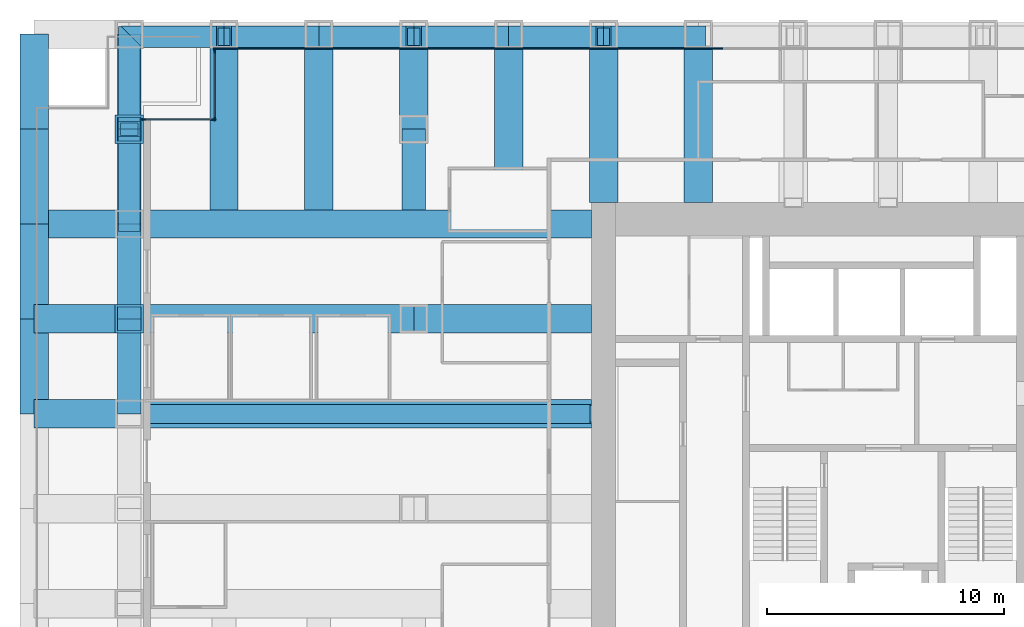
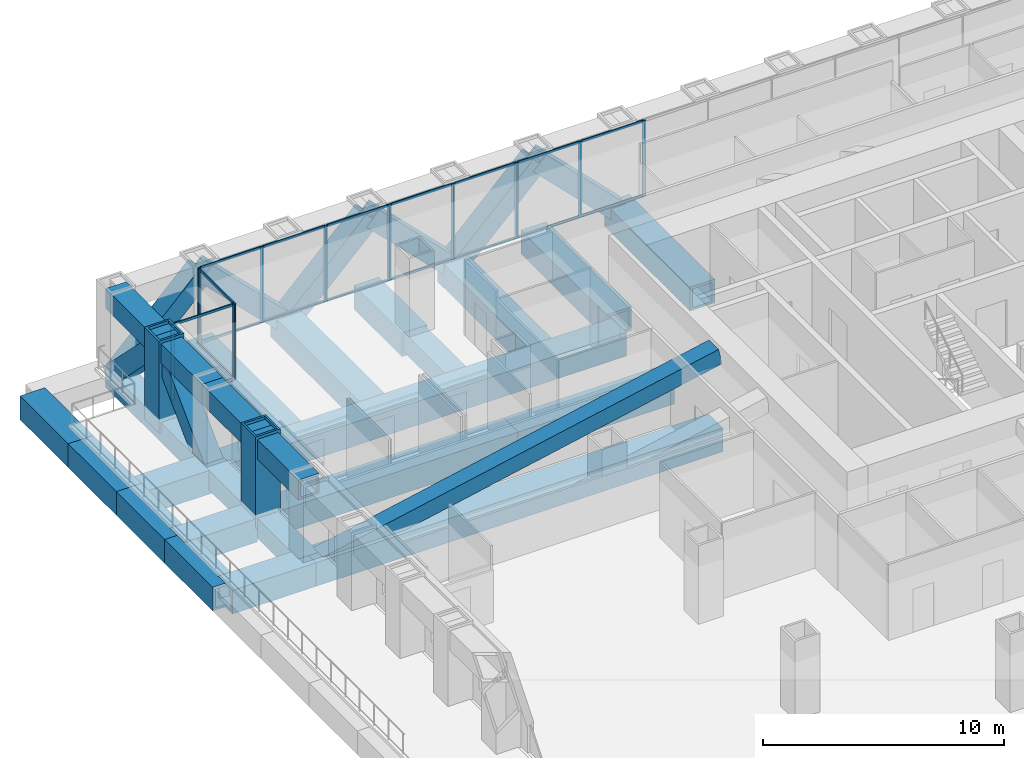
# One storey, part 8 of 18: 41 members, 24 beams, 3 elements without a shape of their own.
"""IFC4 building model written with IfcOpenShell, lengths in metres."""

from ifc_helpers import new_model, si_unit, direction, frame, origin, origin_2d, place, context, subcontext, project, spatial, rectangle, hollow_rectangle, extrude, material, material_profile, profile_set, type_object, element, aggregate, save


model = new_model("IFC4")

# Units and contexts
model_context = context("Model", 3, precision=1e-05, world=origin(), true_north=direction((0.0, 1.0)))
body_context = subcontext(model_context, "Body", "Model", "MODEL_VIEW")
ifc_project = project(units=[si_unit("LENGTHUNIT", "METRE"), si_unit("AREAUNIT", "SQUARE_METRE"), si_unit("VOLUMEUNIT", "CUBIC_METRE"), si_unit("PLANEANGLEUNIT", "RADIAN"), si_unit("MASSUNIT", "GRAM", prefix="KILO")], contexts=[model_context])

# Site, building, storey
site_placement = place(None, origin())
site = spatial("IfcSite", under=ifc_project, at=site_placement, CompositionType="ELEMENT")
building_placement = place(site_placement, origin())
building = spatial("IfcBuilding", under=site, at=building_placement, Name="Rimbunsela Tower", CompositionType="ELEMENT")
storey_placement = place(building_placement, frame((0.0, 0.0, 11.0)))
storey = spatial("IfcBuildingStorey", under=building, at=storey_placement, Name="L02", CompositionType="ELEMENT", Elevation=11.0)

# Beams
ifc_material_1 = material(Name="Steel BJ 55 (fy 410 MPa)", Category="steel")
ifc_material_profile_1 = material_profile(ifc_material_1, hollow_rectangle(XDim=1.0, YDim=1.0, WallThickness=0.10009765625, at=origin_2d()), Name="BOX 1000x1000x100")
ifc_profile_set_1 = profile_set([ifc_material_profile_1], Name="Steel BJ 55 (fy 410 MPa)")
beam_type_1 = type_object("IfcBeamType", Name="Beam BOX 1000x1000x100", PredefinedType="BEAM", material=ifc_profile_set_1)
beam_1_placement = place(storey_placement, frame((10.0, 36.60009765625, -0.64990234375), z_axis=(0.0, 1.0, 0.0), x_axis=(-1.0, 0.0, 0.0)))
element("IfcBeam", 1, at=beam_1_placement, inside=storey, type_object=beam_type_1, Name="Beam B3 L02", PredefinedType="BEAM", context=body_context, shape_type="SweptSolid", body=[
    extrude(hollow_rectangle(XDim=1.0, YDim=1.0, WallThickness=0.10009765625, at=origin_2d()), origin(), (0.0, 0.0, 1.0), 3.39990234375),
])
ifc_material_2 = material(Name="Steel BJ 55 (fy 410 MPa)", Category="steel")
ifc_material_profile_2 = material_profile(ifc_material_2, hollow_rectangle(XDim=1.199951171875, YDim=1.199951171875, WallThickness=0.10009765625, at=origin_2d()), Name="BOX 1200x1200x100")
ifc_profile_set_2 = profile_set([ifc_material_profile_2], Name="Steel BJ 55 (fy 410 MPa)")
beam_type_2 = type_object("IfcBeamType", Name="Beam BOX 1200x1200x100", PredefinedType="BEAM", material=ifc_profile_set_2)
beam_2_placement = place(storey_placement, frame((-2.0, 28.0, -0.75), z_axis=(1.0, 0.0, 0.0), x_axis=(0.0, 1.0, 0.0)))
element("IfcBeam", 2, at=beam_2_placement, inside=storey, type_object=beam_type_2, Name="Beam B5 L02", PredefinedType="BEAM", context=body_context, shape_type="SweptSolid", body=[
    extrude(hollow_rectangle(XDim=1.199951171875, YDim=1.199951171875, WallThickness=0.10009765625, at=origin_2d()), origin(), (0.0, 0.0, 1.0), 19.5),
])
beam_3_placement = place(storey_placement, frame((-1.5, 32.0, -0.75), z_axis=(1.0, 0.0, 0.0), x_axis=(0.0, 1.0, 0.0)))
element("IfcBeam", 3, at=beam_3_placement, inside=storey, type_object=beam_type_2, Name="Beam B5 L02", PredefinedType="BEAM", context=body_context, shape_type="SweptSolid", body=[
    extrude(hollow_rectangle(XDim=1.199951171875, YDim=1.199951171875, WallThickness=0.10009765625, at=origin_2d()), origin(), (0.0, 0.0, 1.0), 11.5),
])
beam_4_placement = place(storey_placement, frame((-2.0, 36.0, -0.75), z_axis=(1.0, 0.0, 0.0), x_axis=(0.0, 1.0, 0.0)))
element("IfcBeam", 4, at=beam_4_placement, inside=storey, type_object=beam_type_2, Name="Beam B5 L02", PredefinedType="BEAM", context=body_context, shape_type="SweptSolid", body=[
    extrude(hollow_rectangle(XDim=1.199951171875, YDim=1.199951171875, WallThickness=0.10009765625, at=origin_2d()), origin(), (0.0, 0.0, 1.0), 19.5),
])
beam_5_placement = place(storey_placement, frame((10.0, 32.0, -0.75), z_axis=(1.0, 0.0, 0.0), x_axis=(0.0, 1.0, 0.0)))
element("IfcBeam", 5, at=beam_5_placement, inside=storey, type_object=beam_type_2, Name="Beam B5 L02", PredefinedType="BEAM", context=body_context, shape_type="SweptSolid", body=[
    extrude(hollow_rectangle(XDim=1.199951171875, YDim=1.199951171875, WallThickness=0.10009765625, at=origin_2d()), origin(), (0.0, 0.0, 1.0), 7.5),
])
ifc_material_3 = material(Name="Steel BJ 55 (fy 410 MPa)", Category="steel")
ifc_material_profile_3 = material_profile(ifc_material_3, hollow_rectangle(XDim=1.199951171875, YDim=1.199951171875, WallThickness=0.125, at=origin_2d()), Name="BOX 1200x1200x125")
ifc_profile_set_3 = profile_set([ifc_material_profile_3], Name="Steel BJ 55 (fy 410 MPa)")
beam_type_3 = type_object("IfcBeamType", Name="Beam BOX 1200x1200x125", PredefinedType="BEAM", material=ifc_profile_set_3)
for number, where, z_axis, x_axis, name in (
    (6, (-6.0, 28.0, -0.75), (0.0, 1.0, 0.0), (-1.0, 0.0, 0.0), "Beam B4 L02"),
    (7, (-6.0, 28.0, -0.75), (1.0, 0.0, 0.0), (0.0, 1.0, 0.0), "Beam B4 L02"),
    (8, (-6.0, 32.0, -0.75), (0.0, 1.0, 0.0), (-1.0, 0.0, 0.0), "Beam B4 L02"),
):
    element("IfcBeam", number, at=place(storey_placement, frame(where, z_axis=z_axis, x_axis=x_axis)), inside=storey, type_object=beam_type_3, Name=name, PredefinedType="BEAM", context=body_context, shape_type="SweptSolid", body=[
        extrude(hollow_rectangle(XDim=1.199951171875, YDim=1.199951171875, WallThickness=0.125, at=origin_2d()), origin(), (0.0, 0.0, 1.0), 4.0),
    ])
beam_6_placement = place(storey_placement, frame((-6.0, 32.0, -0.75), z_axis=(1.0, 0.0, 0.0), x_axis=(0.0, 1.0, 0.0)))
element("IfcBeam", 9, at=beam_6_placement, inside=storey, type_object=beam_type_3, Name="Beam B4 L02", PredefinedType="BEAM", context=body_context, shape_type="SweptSolid", body=[
    extrude(hollow_rectangle(XDim=1.199951171875, YDim=1.199951171875, WallThickness=0.125, at=origin_2d()), origin(), (0.0, 0.0, 1.0), 3.5),
])
for number, where, z_axis, x_axis, name in (
    (10, (-6.0, 36.0, -0.75), (0.0, 1.0, 0.0), (-1.0, 0.0, 0.0), "Beam B4 L02"),
    (11, (-6.0, 36.0, -0.75), (1.0, 0.0, 0.0), (0.0, 1.0, 0.0), "Beam B4 L02"),
    (12, (-6.0, 40.0, -0.75), (0.0, 1.0, 0.0), (-1.0, 0.0, 0.0), "Beam B4 L02"),
):
    element("IfcBeam", number, at=place(storey_placement, frame(where, z_axis=z_axis, x_axis=x_axis)), inside=storey, type_object=beam_type_3, Name=name, PredefinedType="BEAM", context=body_context, shape_type="SweptSolid", body=[
        extrude(hollow_rectangle(XDim=1.199951171875, YDim=1.199951171875, WallThickness=0.125, at=origin_2d()), origin(), (0.0, 0.0, 1.0), 4.0),
    ])
for number, where, z_axis, x_axis, name in (
    (13, (2.0, 36.60009765625, -0.75), (0.0, 1.0, 0.0), (-1.0, 0.0, 0.0), "Beam B4 L02"),
    (14, (6.0, 36.60009765625, -0.75), (0.0, 1.0, 0.0), (-1.0, 0.0, 0.0), "Beam B4 L02"),
):
    element("IfcBeam", number, at=place(storey_placement, frame(where, z_axis=z_axis, x_axis=x_axis)), inside=storey, type_object=beam_type_3, Name=name, PredefinedType="BEAM", context=body_context, shape_type="SweptSolid", body=[
        extrude(hollow_rectangle(XDim=1.199951171875, YDim=1.199951171875, WallThickness=0.125, at=origin_2d()), origin(), (0.0, 0.0, 1.0), 7.39990234375),
    ])
beam_7_placement = place(storey_placement, frame((10.0, 40.0, -0.75), z_axis=(0.0, 1.0, 0.0), x_axis=(-1.0, 0.0, 0.0)))
element("IfcBeam", 15, at=beam_7_placement, inside=storey, type_object=beam_type_3, Name="Beam B4 L02", PredefinedType="BEAM", context=body_context, shape_type="SweptSolid", body=[
    extrude(hollow_rectangle(XDim=1.199951171875, YDim=1.199951171875, WallThickness=0.125, at=origin_2d()), origin(), (0.0, 0.0, 1.0), 4.0),
])
beam_8_placement = place(storey_placement, frame((14.0, 36.60009765625, -0.75), z_axis=(0.0, 1.0, 0.0), x_axis=(-1.0, 0.0, 0.0)))
element("IfcBeam", 16, at=beam_8_placement, inside=storey, type_object=beam_type_3, Name="Beam B4 L02", PredefinedType="BEAM", context=body_context, shape_type="SweptSolid", body=[
    extrude(hollow_rectangle(XDim=1.199951171875, YDim=1.199951171875, WallThickness=0.125, at=origin_2d()), origin(), (0.0, 0.0, 1.0), 7.39990234375),
])
for number, where, z_axis, x_axis, name in (
    (17, (18.0, 36.89990234375, -0.75), (0.0, 1.0, 0.0), (-1.0, 0.0, 0.0), "Beam B4 L02"),
    (18, (22.0, 36.89990234375, -0.75), (0.0, 1.0, 0.0), (-1.0, 0.0, 0.0), "Beam B4 L02"),
):
    element("IfcBeam", number, at=place(storey_placement, frame(where, z_axis=z_axis, x_axis=x_axis)), inside=storey, type_object=beam_type_3, Name=name, PredefinedType="BEAM", context=body_context, shape_type="SweptSolid", body=[
        extrude(hollow_rectangle(XDim=1.199951171875, YDim=1.199951171875, WallThickness=0.125, at=origin_2d()), origin(), (0.0, 0.0, 1.0), 7.10009765625),
    ])

# Curtain wall, members
ifc_material_4 = material(Name="Aluminium curtain wall", Category="aluminium")
curtain_wall_type_1 = type_object("IfcCurtainWallType", Name="Exoskeleton storey infill", PredefinedType="USERDEFINED", material=ifc_material_4)
curtain_wall_1_placement = place(storey_placement, origin())
curtain_wall_1 = element("IfcCurtainWall", 19, at=curtain_wall_1_placement, inside=storey, type_object=curtain_wall_type_1, Name="Exoskeleton storey infill L02", ObjectType="EXOSKELETON STOREY INFILL", PredefinedType="USERDEFINED")
ifc_material_5 = material(Name="Aluminium mullion", Category="aluminium")
ifc_material_profile_4 = material_profile(ifc_material_5, rectangle(XDim=0.06005859375, YDim=0.159912109375, at=origin_2d()), Name="Mullion 60x160")
ifc_profile_set_4 = profile_set([ifc_material_profile_4], Name="Aluminium mullion")
member_type_1 = type_object("IfcMemberType", Name="Curtain wall mullion 60x160", PredefinedType="MULLION", material=ifc_profile_set_4)
member_1_placement = place(storey_placement, frame((22.949951171875, 43.39990234375, 0.0), z_axis=(0.0, 0.0, 1.0), x_axis=(0.0, -1.0, 0.0)))
member_1 = element("IfcMember", 20, at=member_1_placement, type_object=member_type_1, Name="CW2 mullion 10", PredefinedType="MULLION", context=body_context, shape_type="SweptSolid", body=[
    extrude(rectangle(XDim=0.06005859375, YDim=0.159912109375, at=origin_2d()), origin(), (0.0, 0.0, 1.0), 3.85009765625),
])
member_2_placement = place(storey_placement, frame((19.89990234375, 43.39990234375, 0.0), z_axis=(0.0, 0.0, 1.0), x_axis=(0.0, -1.0, 0.0)))
member_2 = element("IfcMember", 21, at=member_2_placement, type_object=member_type_1, Name="CW2 mullion 11", PredefinedType="MULLION", context=body_context, shape_type="SweptSolid", body=[
    extrude(rectangle(XDim=0.06005859375, YDim=0.159912109375, at=origin_2d()), origin(), (0.0, 0.0, 1.0), 3.85009765625),
])
member_3_placement = place(storey_placement, frame((16.85009765625, 43.39990234375, 0.0), z_axis=(0.0, 0.0, 1.0), x_axis=(0.0, -1.0, 0.0)))
member_3 = element("IfcMember", 22, at=member_3_placement, type_object=member_type_1, Name="CW2 mullion 12", PredefinedType="MULLION", context=body_context, shape_type="SweptSolid", body=[
    extrude(rectangle(XDim=0.06005859375, YDim=0.159912109375, at=origin_2d()), origin(), (0.0, 0.0, 1.0), 3.85009765625),
])
member_4_placement = place(storey_placement, frame((13.800048828125, 43.39990234375, 0.0), z_axis=(0.0, 0.0, 1.0), x_axis=(0.0, -1.0, 0.0)))
member_4 = element("IfcMember", 23, at=member_4_placement, type_object=member_type_1, Name="CW2 mullion 13", PredefinedType="MULLION", context=body_context, shape_type="SweptSolid", body=[
    extrude(rectangle(XDim=0.06005859375, YDim=0.159912109375, at=origin_2d()), origin(), (0.0, 0.0, 1.0), 3.85009765625),
])
member_5_placement = place(storey_placement, frame((10.75, 43.39990234375, 0.0), z_axis=(0.0, 0.0, 1.0), x_axis=(0.0, -1.0, 0.0)))
member_5 = element("IfcMember", 24, at=member_5_placement, type_object=member_type_1, Name="CW2 mullion 14", PredefinedType="MULLION", context=body_context, shape_type="SweptSolid", body=[
    extrude(rectangle(XDim=0.06005859375, YDim=0.159912109375, at=origin_2d()), origin(), (0.0, 0.0, 1.0), 3.85009765625),
])
member_6_placement = place(storey_placement, frame((7.699951171875, 43.39990234375, 0.0), z_axis=(0.0, 0.0, 1.0), x_axis=(0.0, -1.0, 0.0)))
member_6 = element("IfcMember", 25, at=member_6_placement, type_object=member_type_1, Name="CW2 mullion 15", PredefinedType="MULLION", context=body_context, shape_type="SweptSolid", body=[
    extrude(rectangle(XDim=0.06005859375, YDim=0.159912109375, at=origin_2d()), origin(), (0.0, 0.0, 1.0), 3.85009765625),
])
member_7_placement = place(storey_placement, frame((4.64990234375, 43.39990234375, 0.0), z_axis=(0.0, 0.0, 1.0), x_axis=(0.0, -1.0, 0.0)))
member_7 = element("IfcMember", 26, at=member_7_placement, type_object=member_type_1, Name="CW2 mullion 16", PredefinedType="MULLION", context=body_context, shape_type="SweptSolid", body=[
    extrude(rectangle(XDim=0.06005859375, YDim=0.159912109375, at=origin_2d()), origin(), (0.0, 0.0, 1.0), 3.85009765625),
])
member_8_placement = place(storey_placement, frame((1.6298828125, 43.39990234375, 0.0), z_axis=(0.0, 0.0, 1.0), x_axis=(0.0, -1.0, 0.0)))
member_8 = element("IfcMember", 27, at=member_8_placement, type_object=member_type_1, Name="CW2 mullion 17", PredefinedType="MULLION", context=body_context, shape_type="SweptSolid", body=[
    extrude(rectangle(XDim=0.06005859375, YDim=0.159912109375, at=origin_2d()), origin(), (0.0, 0.0, 1.0), 3.85009765625),
])

ifc_material_6 = material(Name="Aluminium curtain wall", Category="aluminium")
curtain_wall_type_2 = type_object("IfcCurtainWallType", Name="Corner glazing", PredefinedType="USERDEFINED", material=ifc_material_6)
curtain_wall_2_placement = place(storey_placement, origin())
curtain_wall_2 = element("IfcCurtainWall", 28, at=curtain_wall_2_placement, inside=storey, type_object=curtain_wall_type_2, Name="Corner glazing L02", ObjectType="CORNER GLAZING", PredefinedType="USERDEFINED")
member_9_placement = place(storey_placement, frame((1.60009765625, 43.27001953125, 0.0), z_axis=(0.0, 0.0, 1.0), x_axis=(1.0, 0.0, 0.0)))
member_9 = element("IfcMember", 29, at=member_9_placement, type_object=member_type_1, Name="CW5 mullion 1", PredefinedType="MULLION", context=body_context, shape_type="SweptSolid", body=[
    extrude(rectangle(XDim=0.06005859375, YDim=0.159912109375, at=origin_2d()), origin(), (0.0, 0.0, 1.0), 3.85009765625),
])
member_10_placement = place(storey_placement, frame((1.60009765625, 40.429931640625, 0.0), z_axis=(0.0, 0.0, 1.0), x_axis=(1.0, 0.0, 0.0)))
member_10 = element("IfcMember", 30, at=member_10_placement, type_object=member_type_1, Name="CW5 mullion 2", PredefinedType="MULLION", context=body_context, shape_type="SweptSolid", body=[
    extrude(rectangle(XDim=0.06005859375, YDim=0.159912109375, at=origin_2d()), origin(), (0.0, 0.0, 1.0), 3.85009765625),
])

curtain_wall_3_placement = place(storey_placement, origin())
curtain_wall_3 = element("IfcCurtainWall", 31, at=curtain_wall_3_placement, inside=storey, type_object=curtain_wall_type_2, Name="Corner glazing L02", ObjectType="CORNER GLAZING", PredefinedType="USERDEFINED")
member_11_placement = place(storey_placement, frame((1.570068359375, 40.39990234375, 0.0), z_axis=(0.0, 0.0, 1.0), x_axis=(0.0, -1.0, 0.0)))
member_11 = element("IfcMember", 32, at=member_11_placement, type_object=member_type_1, Name="CW5 mullion 1", PredefinedType="MULLION", context=body_context, shape_type="SweptSolid", body=[
    extrude(rectangle(XDim=0.06005859375, YDim=0.159912109375, at=origin_2d()), origin(), (0.0, 0.0, 1.0), 3.85009765625),
])
member_12_placement = place(storey_placement, frame((-1.3701171875, 40.39990234375, 0.0), z_axis=(0.0, 0.0, 1.0), x_axis=(0.0, -1.0, 0.0)))
member_12 = element("IfcMember", 33, at=member_12_placement, type_object=member_type_1, Name="CW5 mullion 2", PredefinedType="MULLION", context=body_context, shape_type="SweptSolid", body=[
    extrude(rectangle(XDim=0.06005859375, YDim=0.159912109375, at=origin_2d()), origin(), (0.0, 0.0, 1.0), 3.85009765625),
])

# Member
ifc_material_7 = material(Name="Aluminium transom", Category="aluminium")
ifc_material_profile_5 = material_profile(ifc_material_7, rectangle(XDim=0.06005859375, YDim=0.1201171875, at=origin_2d()), Name="Transom 60x120")
ifc_profile_set_5 = profile_set([ifc_material_profile_5], Name="Aluminium transom")
member_type_2 = type_object("IfcMemberType", Name="Curtain wall transom 60x120", PredefinedType="USERDEFINED", material=ifc_profile_set_5)
member_13_placement = place(storey_placement, frame((22.919921875, 43.39990234375, 0.030029296875), z_axis=(-1.0, 0.0, 0.0), x_axis=(0.0, -1.0, 0.0)))
member_13 = element("IfcMember", 34, at=member_13_placement, type_object=member_type_2, Name="CW2 transom 10.1", ObjectType="TRANSOM", PredefinedType="USERDEFINED", context=body_context, shape_type="SweptSolid", body=[
    extrude(rectangle(XDim=0.06005859375, YDim=0.1201171875, at=origin_2d()), origin(), (0.0, 0.0, 1.0), 2.989990234375),
])

member_14_placement = place(storey_placement, frame((22.919921875, 43.39990234375, 3.820068359375), z_axis=(-1.0, 0.0, 0.0), x_axis=(0.0, -1.0, 0.0)))
member_14 = element("IfcMember", 35, at=member_14_placement, type_object=member_type_2, Name="CW2 transom 10.2", ObjectType="TRANSOM", PredefinedType="USERDEFINED", context=body_context, shape_type="SweptSolid", body=[
    extrude(rectangle(XDim=0.06005859375, YDim=0.1201171875, at=origin_2d()), origin(), (0.0, 0.0, 1.0), 2.989990234375),
])

member_15_placement = place(storey_placement, frame((19.8701171875, 43.39990234375, 0.030029296875), z_axis=(-1.0, 0.0, 0.0), x_axis=(0.0, -1.0, 0.0)))
member_15 = element("IfcMember", 36, at=member_15_placement, type_object=member_type_2, Name="CW2 transom 11.1", ObjectType="TRANSOM", PredefinedType="USERDEFINED", context=body_context, shape_type="SweptSolid", body=[
    extrude(rectangle(XDim=0.06005859375, YDim=0.1201171875, at=origin_2d()), origin(), (0.0, 0.0, 1.0), 2.990234375),
])

member_16_placement = place(storey_placement, frame((19.8701171875, 43.39990234375, 3.820068359375), z_axis=(-1.0, 0.0, 0.0), x_axis=(0.0, -1.0, 0.0)))
member_16 = element("IfcMember", 37, at=member_16_placement, type_object=member_type_2, Name="CW2 transom 11.2", ObjectType="TRANSOM", PredefinedType="USERDEFINED", context=body_context, shape_type="SweptSolid", body=[
    extrude(rectangle(XDim=0.06005859375, YDim=0.1201171875, at=origin_2d()), origin(), (0.0, 0.0, 1.0), 2.990234375),
])

member_17_placement = place(storey_placement, frame((16.820068359375, 43.39990234375, 0.030029296875), z_axis=(-1.0, 0.0, 0.0), x_axis=(0.0, -1.0, 0.0)))
member_17 = element("IfcMember", 38, at=member_17_placement, type_object=member_type_2, Name="CW2 transom 12.1", ObjectType="TRANSOM", PredefinedType="USERDEFINED", context=body_context, shape_type="SweptSolid", body=[
    extrude(rectangle(XDim=0.06005859375, YDim=0.1201171875, at=origin_2d()), origin(), (0.0, 0.0, 1.0), 2.989990234375),
])

member_18_placement = place(storey_placement, frame((16.820068359375, 43.39990234375, 3.820068359375), z_axis=(-1.0, 0.0, 0.0), x_axis=(0.0, -1.0, 0.0)))
member_18 = element("IfcMember", 39, at=member_18_placement, type_object=member_type_2, Name="CW2 transom 12.2", ObjectType="TRANSOM", PredefinedType="USERDEFINED", context=body_context, shape_type="SweptSolid", body=[
    extrude(rectangle(XDim=0.06005859375, YDim=0.1201171875, at=origin_2d()), origin(), (0.0, 0.0, 1.0), 2.989990234375),
])

member_19_placement = place(storey_placement, frame((13.77001953125, 43.39990234375, 0.030029296875), z_axis=(-1.0, 0.0, 0.0), x_axis=(0.0, -1.0, 0.0)))
member_19 = element("IfcMember", 40, at=member_19_placement, type_object=member_type_2, Name="CW2 transom 13.1", ObjectType="TRANSOM", PredefinedType="USERDEFINED", context=body_context, shape_type="SweptSolid", body=[
    extrude(rectangle(XDim=0.06005859375, YDim=0.1201171875, at=origin_2d()), origin(), (0.0, 0.0, 1.0), 2.989990234375),
])

member_20_placement = place(storey_placement, frame((13.77001953125, 43.39990234375, 3.820068359375), z_axis=(-1.0, 0.0, 0.0), x_axis=(0.0, -1.0, 0.0)))
member_20 = element("IfcMember", 41, at=member_20_placement, type_object=member_type_2, Name="CW2 transom 13.2", ObjectType="TRANSOM", PredefinedType="USERDEFINED", context=body_context, shape_type="SweptSolid", body=[
    extrude(rectangle(XDim=0.06005859375, YDim=0.1201171875, at=origin_2d()), origin(), (0.0, 0.0, 1.0), 2.989990234375),
])

member_21_placement = place(storey_placement, frame((10.719970703125, 43.39990234375, 0.030029296875), z_axis=(-1.0, 0.0, 0.0), x_axis=(0.0, -1.0, 0.0)))
member_21 = element("IfcMember", 42, at=member_21_placement, type_object=member_type_2, Name="CW2 transom 14.1", ObjectType="TRANSOM", PredefinedType="USERDEFINED", context=body_context, shape_type="SweptSolid", body=[
    extrude(rectangle(XDim=0.06005859375, YDim=0.1201171875, at=origin_2d()), origin(), (0.0, 0.0, 1.0), 2.989990234375),
])

member_22_placement = place(storey_placement, frame((10.719970703125, 43.39990234375, 3.820068359375), z_axis=(-1.0, 0.0, 0.0), x_axis=(0.0, -1.0, 0.0)))
member_22 = element("IfcMember", 43, at=member_22_placement, type_object=member_type_2, Name="CW2 transom 14.2", ObjectType="TRANSOM", PredefinedType="USERDEFINED", context=body_context, shape_type="SweptSolid", body=[
    extrude(rectangle(XDim=0.06005859375, YDim=0.1201171875, at=origin_2d()), origin(), (0.0, 0.0, 1.0), 2.989990234375),
])

member_23_placement = place(storey_placement, frame((7.669921875, 43.39990234375, 0.030029296875), z_axis=(-1.0, 0.0, 0.0), x_axis=(0.0, -1.0, 0.0)))
member_23 = element("IfcMember", 44, at=member_23_placement, type_object=member_type_2, Name="CW2 transom 15.1", ObjectType="TRANSOM", PredefinedType="USERDEFINED", context=body_context, shape_type="SweptSolid", body=[
    extrude(rectangle(XDim=0.06005859375, YDim=0.1201171875, at=origin_2d()), origin(), (0.0, 0.0, 1.0), 2.989990234375),
])

member_24_placement = place(storey_placement, frame((7.669921875, 43.39990234375, 3.820068359375), z_axis=(-1.0, 0.0, 0.0), x_axis=(0.0, -1.0, 0.0)))
member_24 = element("IfcMember", 45, at=member_24_placement, type_object=member_type_2, Name="CW2 transom 15.2", ObjectType="TRANSOM", PredefinedType="USERDEFINED", context=body_context, shape_type="SweptSolid", body=[
    extrude(rectangle(XDim=0.06005859375, YDim=0.1201171875, at=origin_2d()), origin(), (0.0, 0.0, 1.0), 2.989990234375),
])

member_25_placement = place(storey_placement, frame((4.6201171875, 43.39990234375, 0.030029296875), z_axis=(-1.0, 0.0, 0.0), x_axis=(0.0, -1.0, 0.0)))
member_25 = element("IfcMember", 46, at=member_25_placement, type_object=member_type_2, Name="CW2 transom 16.1", ObjectType="TRANSOM", PredefinedType="USERDEFINED", context=body_context, shape_type="SweptSolid", body=[
    extrude(rectangle(XDim=0.06005859375, YDim=0.1201171875, at=origin_2d()), origin(), (0.0, 0.0, 1.0), 2.960205078125),
])

member_26_placement = place(storey_placement, frame((4.6201171875, 43.39990234375, 3.820068359375), z_axis=(-1.0, 0.0, 0.0), x_axis=(0.0, -1.0, 0.0)))
member_26 = element("IfcMember", 47, at=member_26_placement, type_object=member_type_2, Name="CW2 transom 16.2", ObjectType="TRANSOM", PredefinedType="USERDEFINED", context=body_context, shape_type="SweptSolid", body=[
    extrude(rectangle(XDim=0.06005859375, YDim=0.1201171875, at=origin_2d()), origin(), (0.0, 0.0, 1.0), 2.960205078125),
])

aggregate(curtain_wall_1, [member_1, member_2, member_3, member_4, member_5, member_6, member_7, member_8, member_13, member_14, member_15, member_16, member_17, member_18, member_19, member_20, member_21, member_22, member_23, member_24, member_25, member_26])

member_27_placement = place(storey_placement, frame((1.60009765625, 43.239990234375, 0.030029296875), z_axis=(0.0, -1.0, 0.0), x_axis=(1.0, 0.0, 0.0)))
member_27 = element("IfcMember", 48, at=member_27_placement, type_object=member_type_2, Name="CW5 transom 1.1", ObjectType="TRANSOM", PredefinedType="USERDEFINED", context=body_context, shape_type="SweptSolid", body=[
    extrude(rectangle(XDim=0.06005859375, YDim=0.1201171875, at=origin_2d()), origin(), (0.0, 0.0, 1.0), 2.780029296875),
])

member_28_placement = place(storey_placement, frame((1.60009765625, 43.239990234375, 3.820068359375), z_axis=(0.0, -1.0, 0.0), x_axis=(1.0, 0.0, 0.0)))
member_28 = element("IfcMember", 49, at=member_28_placement, type_object=member_type_2, Name="CW5 transom 1.2", ObjectType="TRANSOM", PredefinedType="USERDEFINED", context=body_context, shape_type="SweptSolid", body=[
    extrude(rectangle(XDim=0.06005859375, YDim=0.1201171875, at=origin_2d()), origin(), (0.0, 0.0, 1.0), 2.780029296875),
])

aggregate(curtain_wall_2, [member_9, member_10, member_27, member_28])

member_29_placement = place(storey_placement, frame((1.5400390625, 40.39990234375, 0.030029296875), z_axis=(-1.0, 0.0, 0.0), x_axis=(0.0, -1.0, 0.0)))
member_29 = element("IfcMember", 50, at=member_29_placement, type_object=member_type_2, Name="CW5 transom 1.1", ObjectType="TRANSOM", PredefinedType="USERDEFINED", context=body_context, shape_type="SweptSolid", body=[
    extrude(rectangle(XDim=0.06005859375, YDim=0.1201171875, at=origin_2d()), origin(), (0.0, 0.0, 1.0), 2.880126953125),
])

member_30_placement = place(storey_placement, frame((1.5400390625, 40.39990234375, 3.820068359375), z_axis=(-1.0, 0.0, 0.0), x_axis=(0.0, -1.0, 0.0)))
member_30 = element("IfcMember", 51, at=member_30_placement, type_object=member_type_2, Name="CW5 transom 1.2", ObjectType="TRANSOM", PredefinedType="USERDEFINED", context=body_context, shape_type="SweptSolid", body=[
    extrude(rectangle(XDim=0.06005859375, YDim=0.1201171875, at=origin_2d()), origin(), (0.0, 0.0, 1.0), 2.880126953125),
])

aggregate(curtain_wall_3, [member_11, member_12, member_29, member_30])

ifc_material_8 = material(Name="Steel BJ 55 (fy 410 MPa)", Category="steel")
ifc_material_profile_6 = material_profile(ifc_material_8, hollow_rectangle(XDim=0.800048828125, YDim=0.800048828125, WallThickness=0.06005859375, at=origin_2d()), Name="BOX 800x800x60")
ifc_profile_set_6 = profile_set([ifc_material_profile_6], Name="Steel BJ 55 (fy 410 MPa)")
member_type_3 = type_object("IfcMemberType", Name="Outrigger brace BOX 800x800x60", PredefinedType="BRACE", material=ifc_profile_set_6)
member_31_placement = place(storey_placement, frame((-2.0, 28.0, -0.64990234375), z_axis=(0.979602700641, 0.0, 0.200944143721), x_axis=(0.0, 1.0, 0.0)))
element("IfcMember", 52, at=member_31_placement, inside=storey, type_object=member_type_3, Name="Outrigger brace OB1 W L02", PredefinedType="BRACE", context=body_context, shape_type="SweptSolid", body=[
    extrude(hollow_rectangle(XDim=0.800048828125, YDim=0.800048828125, WallThickness=0.06005859375, at=origin_2d()), origin(), (0.0, 0.0, 1.0), 19.906005859375),
])

# Beams
ifc_material_9 = material(Name="Steel BJ 55 (fy 410 MPa)", Category="steel")
ifc_material_profile_7 = material_profile(ifc_material_9, hollow_rectangle(XDim=1.0, YDim=1.0, WallThickness=0.10009765625, at=origin_2d()), Name="BOX 1000x1000x100")
ifc_profile_set_7 = profile_set([ifc_material_profile_7], Name="Steel BJ 55 (fy 410 MPa)")
beam_type_4 = type_object("IfcBeamType", Name="Truss chord BOX 1000x1000x100", PredefinedType="USERDEFINED", material=ifc_profile_set_7)
for number, where, z_axis, x_axis, name in (
    (53, (-2.0, 28.0, 3.35009765625), (0.0, 1.0, 0.0), (-1.0, 0.0, 0.0), "Truss top chord TC1 W face L02"),
    (54, (-2.0, 32.0, 3.35009765625), (0.0, 1.0, 0.0), (-1.0, 0.0, 0.0), "Truss top chord TC1 W face L02"),
    (55, (-2.0, 36.0, 3.35009765625), (0.0, 1.0, 0.0), (-1.0, 0.0, 0.0), "Truss top chord TC1 W face L02"),
    (56, (-2.0, 40.0, 3.35009765625), (0.0, 1.0, 0.0), (-1.0, 0.0, 0.0), "Truss top chord TC1 W face L02"),
):
    element("IfcBeam", number, at=place(storey_placement, frame(where, z_axis=z_axis, x_axis=x_axis)), inside=storey, type_object=beam_type_4, Name=name, ObjectType="TRUSS CHORD", PredefinedType="USERDEFINED", context=body_context, shape_type="SweptSolid", body=[
        extrude(hollow_rectangle(XDim=1.0, YDim=1.0, WallThickness=0.10009765625, at=origin_2d()), origin(), (0.0, 0.0, 1.0), 4.0),
    ])
for number, where, z_axis, x_axis, name in (
    (57, (-2.0, 28.0, -0.64990234375), (0.0, 1.0, 0.0), (-1.0, 0.0, 0.0), "Truss bottom chord TC1 W face L02"),
    (58, (-2.0, 36.0, -0.64990234375), (0.0, 1.0, 0.0), (-1.0, 0.0, 0.0), "Truss bottom chord TC1 W face L02"),
):
    element("IfcBeam", number, at=place(storey_placement, frame(where, z_axis=z_axis, x_axis=x_axis)), inside=storey, type_object=beam_type_4, Name=name, ObjectType="TRUSS CHORD", PredefinedType="USERDEFINED", context=body_context, shape_type="SweptSolid", body=[
        extrude(hollow_rectangle(XDim=1.0, YDim=1.0, WallThickness=0.10009765625, at=origin_2d()), origin(), (0.0, 0.0, 1.0), 8.0),
    ])

# Members
ifc_material_10 = material(Name="Steel BJ 55 (fy 410 MPa)", Category="steel")
ifc_material_profile_8 = material_profile(ifc_material_10, hollow_rectangle(XDim=0.89990234375, YDim=0.89990234375, WallThickness=0.080078125, at=origin_2d()), Name="BOX 900x900x80")
ifc_profile_set_8 = profile_set([ifc_material_profile_8], Name="Steel BJ 55 (fy 410 MPa)")
member_type_4 = type_object("IfcMemberType", Name="Truss diagonal BOX 900x900x80", PredefinedType="BRACE", material=ifc_profile_set_8)
for number, where, z_axis, x_axis, name in (
    (59, (-2.0, 43.89990234375, -0.64990234375), (0.707106781187, 0.0, 0.707106781187), (0.0, 1.0, 0.0), "Truss diagonal TD1 N face L02"),
    (60, (2.0, 43.89990234375, 3.35009765625), (0.707106781187, 0.0, -0.707106781187), (0.0, 1.0, 0.0), "Truss diagonal TD1 N face L02"),
    (61, (6.0, 43.89990234375, -0.64990234375), (0.707106781187, 0.0, 0.707106781187), (0.0, 1.0, 0.0), "Truss diagonal TD1 N face L02"),
    (62, (10.0, 43.89990234375, 3.35009765625), (0.707106781187, 0.0, -0.707106781187), (0.0, 1.0, 0.0), "Truss diagonal TD1 N face L02"),
    (63, (14.0, 43.89990234375, -0.64990234375), (0.707106781187, 0.0, 0.707106781187), (0.0, 1.0, 0.0), "Truss diagonal TD1 N face L02"),
    (64, (18.0, 43.89990234375, 3.35009765625), (0.707106781187, 0.0, -0.707106781187), (0.0, 1.0, 0.0), "Truss diagonal TD1 N face L02"),
    (65, (-2.0, 36.0, -0.64990234375), (0.0, 0.707106781187, 0.707106781187), (-1.0, 0.0, 0.0), "Truss diagonal TD1 W face L02"),
    (66, (-2.0, 40.0, 3.35009765625), (0.0, 0.707106781187, -0.707106781187), (-1.0, 0.0, 0.0), "Truss diagonal TD1 W face L02"),
):
    element("IfcMember", number, at=place(storey_placement, frame(where, z_axis=z_axis, x_axis=x_axis)), inside=storey, type_object=member_type_4, Name=name, PredefinedType="BRACE", context=body_context, shape_type="SweptSolid", body=[
        extrude(hollow_rectangle(XDim=0.89990234375, YDim=0.89990234375, WallThickness=0.080078125, at=origin_2d()), origin(), (0.0, 0.0, 1.0), 5.65673828125),
    ])
ifc_material_11 = material(Name="Steel BJ 55 (fy 410 MPa)", Category="steel")
ifc_material_profile_9 = material_profile(ifc_material_11, hollow_rectangle(XDim=1.199951171875, YDim=1.199951171875, WallThickness=0.10009765625, at=origin_2d()), Name="BOX 1200x1200x100")
ifc_profile_set_9 = profile_set([ifc_material_profile_9], Name="Steel BJ 55 (fy 410 MPa)")
member_type_5 = type_object("IfcMemberType", Name="Truss post BOX 1200x1200x100", PredefinedType="POST", material=ifc_profile_set_9)
for number, where, z_axis, x_axis, name in (
    (67, (-2.0, 32.0, -0.64990234375), (0.0, 0.0, 1.0), (1.0, 0.0, 0.0), "Truss post TP1 2/K L02"),
    (68, (-2.0, 40.0, -0.64990234375), (0.0, 0.0, 1.0), (1.0, 0.0, 0.0), "Truss post TP1 2/M L02"),
):
    element("IfcMember", number, at=place(storey_placement, frame(where, z_axis=z_axis, x_axis=x_axis)), inside=storey, type_object=member_type_5, Name=name, PredefinedType="POST", context=body_context, shape_type="SweptSolid", body=[
        extrude(hollow_rectangle(XDim=1.199951171875, YDim=1.199951171875, WallThickness=0.10009765625, at=origin_2d()), origin(), (0.0, 0.0, 1.0), 4.64990234375),
    ])

save(model, "model.ifc")
